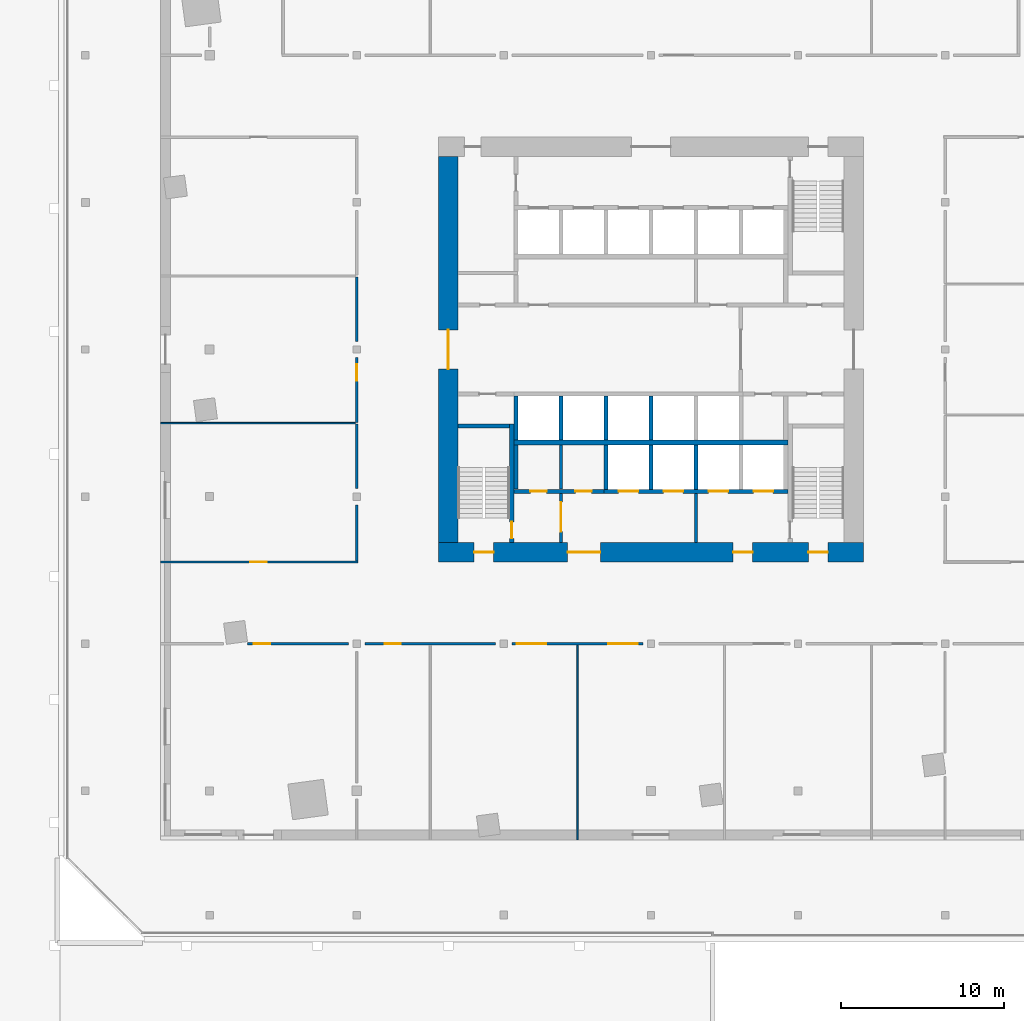
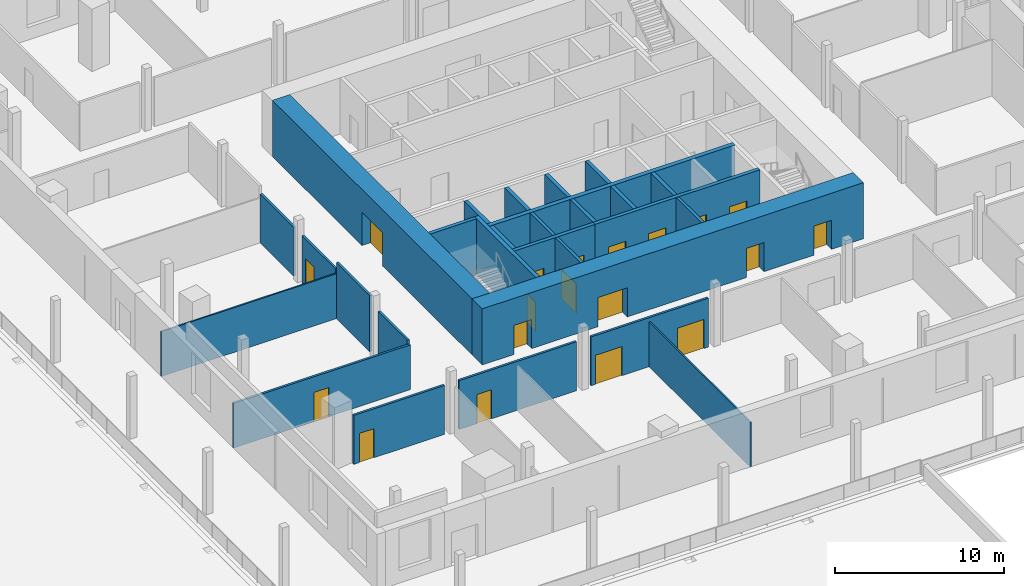
# One storey, part 3 of 12: 28 walls, 19 doors, 19 openings.
"""IFC4 building model written with IfcOpenShell, lengths in metres."""

from ifc_helpers import new_model, si_unit, direction, frame, frame_2d, origin, place, context, subcontext, project, spatial, rectangle, extrude, material, layer, layer_set, type_object, element, fill, save


model = new_model("IFC4")

# Units and contexts
model_context = context("Model", 3, precision=1e-05, world=origin(), true_north=direction((0.0, 1.0)))
body_context = subcontext(model_context, "Body", "Model", "MODEL_VIEW")
ifc_project = project(units=[si_unit("LENGTHUNIT", "METRE"), si_unit("AREAUNIT", "SQUARE_METRE"), si_unit("VOLUMEUNIT", "CUBIC_METRE"), si_unit("PLANEANGLEUNIT", "RADIAN"), si_unit("MASSUNIT", "GRAM", prefix="KILO")], contexts=[model_context])

# Site, building, storey
site_placement = place(None, origin())
site = spatial("IfcSite", under=ifc_project, at=site_placement, CompositionType="ELEMENT")
building_placement = place(site_placement, origin())
building = spatial("IfcBuilding", under=site, at=building_placement, Name="Dilmun Exchange Tower", CompositionType="ELEMENT")
storey_placement = place(building_placement, frame((0.0, 0.0, 18.0)))
storey = spatial("IfcBuildingStorey", under=building, at=storey_placement, Name="L04", CompositionType="ELEMENT", Elevation=18.0)

# Wall, opening, door
ifc_material_1 = material(Name="Concrete C40/50", Category="concrete")
ifc_layer_1 = layer(ifc_material_1, 0.199951171875)
ifc_layer_set_1 = layer_set([ifc_layer_1], Name="Concrete C40/50")
wall_type_1 = type_object("IfcWallType", Name="Core partition wall 200", PredefinedType="PARTITIONING", material=ifc_layer_set_1)
wall_1_placement = place(storey_placement, frame((-5.5, -11.794921875, 0.0), z_axis=(0.0, 0.0, 1.0), x_axis=(0.0, 1.0, 0.0)))
wall_1 = element("IfcWall", 1, at=wall_1_placement, inside=storey, type_object=wall_type_1, Name="L04 core partition wall 01", PredefinedType="PARTITIONING", context=body_context, shape_type="SweptSolid", body=[
    extrude(rectangle(XDim=2.989990234375, YDim=0.199951171875, at=frame_2d((1.4951171875, 0.0))), origin(), (0.0, 0.0, 1.0), 4.050048828125),
])
opening_1_placement = place(wall_1_placement, frame((0.657470703125, 0.0, 0.0)))
opening_1 = element("IfcOpeningElement", 2, at=opening_1_placement, cuts=wall_1, Name="Opening CD5", PredefinedType="OPENING", context=body_context, shape_type="SweptSolid", body=[
    extrude(rectangle(XDim=1.800048828125, YDim=2.10009765625, at=frame_2d((0.89990234375, 1.050048828125))), frame((0.0, 0.10986328125, 0.0), z_axis=(0.0, -1.0, 0.0), x_axis=(1.0, 0.0, 0.0)), (0.0, 0.0, 1.0), 0.219970703125),
])
ifc_material_2 = material(Name="Fire-rated steel door set", Category="steel")
door_type_1 = type_object("IfcDoorType", Name="Stair exit door 1800x2100", OperationType="SINGLE_SWING_LEFT", PredefinedType="DOOR", material=ifc_material_2)
door_1_placement = place(opening_1_placement, origin())
door_1 = element("IfcDoor", 3, at=door_1_placement, inside=storey, type_object=door_type_1, Name="L04 door Service lobby east", OperationType="SINGLE_SWING_LEFT", OverallHeight=2.10009765625, OverallWidth=1.800048828125, PredefinedType="DOOR", context=body_context, shape_type="SweptSolid", body=[
    extrude(rectangle(XDim=1.800048828125, YDim=2.10009765625, at=frame_2d((0.89990234375, 1.050048828125))), frame((0.0, 0.02490234375, 0.0), z_axis=(0.0, -1.0, 0.0), x_axis=(1.0, 0.0, 0.0)), (0.0, 0.0, 1.0), 0.050048828125),
])
fill(opening_1, door_1)

# Walls
wall_2_placement = place(storey_placement, frame((2.75, -11.794921875, 0.0), z_axis=(0.0, 0.0, 1.0), x_axis=(0.0, 1.0, 0.0)))
element("IfcWall", 4, at=wall_2_placement, inside=storey, type_object=wall_type_1, Name="L04 core partition wall 02", PredefinedType="PARTITIONING", context=body_context, shape_type="SweptSolid", body=[
    extrude(rectangle(XDim=2.989990234375, YDim=0.199951171875, at=frame_2d((1.4951171875, 0.0))), origin(), (0.0, 0.0, 1.0), 4.050048828125),
])
wall_3_placement = place(storey_placement, frame((-5.5, -8.544921875, 0.0), z_axis=(0.0, 0.0, 1.0), x_axis=(0.0, 1.0, 0.0)))
element("IfcWall", 5, at=wall_3_placement, inside=storey, type_object=wall_type_1, Name="L04 core partition wall 05", PredefinedType="PARTITIONING", context=body_context, shape_type="SweptSolid", body=[
    extrude(rectangle(XDim=2.68994140625, YDim=0.199951171875, at=frame_2d((1.344970703125, 0.0))), origin(), (0.0, 0.0, 1.0), 4.050048828125),
])

# Wall, openings, doors
ifc_layer_2 = layer(ifc_material_1, 0.25)
ifc_layer_set_2 = layer_set([ifc_layer_2], Name="Concrete C40/50")
wall_type_2 = type_object("IfcWallType", Name="Core partition wall 250", PredefinedType="PARTITIONING", material=ifc_layer_set_2)
wall_4_placement = place(storey_placement, frame((-8.3701171875, -8.675048828125, 0.0), z_axis=(0.0, 0.0, 1.0), x_axis=(1.0, 0.0, 0.0)))
wall_4 = element("IfcWall", 6, at=wall_4_placement, inside=storey, type_object=wall_type_2, Name="L04 core partition wall 03", PredefinedType="PARTITIONING", context=body_context, shape_type="SweptSolid", body=[
    extrude(rectangle(XDim=5.490234375, YDim=0.25, at=frame_2d((2.7451171875, 0.0))), origin(), (0.0, 0.0, 1.0), 4.050048828125),
])
opening_2_placement = place(wall_4_placement, frame((0.9951171875, 0.0, 0.0)))
opening_2 = element("IfcOpeningElement", 7, at=opening_2_placement, cuts=wall_4, Name="Opening CD4", PredefinedType="OPENING", context=body_context, shape_type="SweptSolid", body=[
    extrude(rectangle(XDim=1.0, YDim=2.10009765625, at=frame_2d((0.5, 1.050048828125))), frame((0.0, 0.135009765625, 0.0), z_axis=(0.0, -1.0, 0.0), x_axis=(1.0, 0.0, 0.0)), (0.0, 0.0, 1.0), 0.27001953125),
])
opening_3_placement = place(wall_4_placement, frame((3.7451171875, 0.0, 0.0)))
opening_3 = element("IfcOpeningElement", 8, at=opening_3_placement, cuts=wall_4, Name="Opening CD4", PredefinedType="OPENING", context=body_context, shape_type="SweptSolid", body=[
    extrude(rectangle(XDim=1.0, YDim=2.10009765625, at=frame_2d((0.5, 1.050048828125))), frame((0.0, 0.135009765625, 0.0), z_axis=(0.0, -1.0, 0.0), x_axis=(1.0, 0.0, 0.0)), (0.0, 0.0, 1.0), 0.27001953125),
])
door_type_2 = type_object("IfcDoorType", Name="Core room door 1000x2100", OperationType="SINGLE_SWING_LEFT", PredefinedType="DOOR", material=ifc_material_2)
door_2_placement = place(opening_2_placement, origin())
door_2 = element("IfcDoor", 9, at=door_2_placement, inside=storey, type_object=door_type_2, Name="L04 door Male WC", OperationType="SINGLE_SWING_LEFT", OverallHeight=2.10009765625, OverallWidth=1.0, PredefinedType="DOOR", context=body_context, shape_type="SweptSolid", body=[
    extrude(rectangle(XDim=1.0, YDim=2.10009765625, at=frame_2d((0.5, 1.050048828125))), frame((0.0, 0.02490234375, 0.0), z_axis=(0.0, -1.0, 0.0), x_axis=(1.0, 0.0, 0.0)), (0.0, 0.0, 1.0), 0.050048828125),
])
fill(opening_2, door_2)
door_3_placement = place(opening_3_placement, origin())
door_3 = element("IfcDoor", 10, at=door_3_placement, inside=storey, type_object=door_type_2, Name="L04 door Female WC", OperationType="SINGLE_SWING_LEFT", OverallHeight=2.10009765625, OverallWidth=1.0, PredefinedType="DOOR", context=body_context, shape_type="SweptSolid", body=[
    extrude(rectangle(XDim=1.0, YDim=2.10009765625, at=frame_2d((0.5, 1.050048828125))), frame((0.0, 0.02490234375, 0.0), z_axis=(0.0, -1.0, 0.0), x_axis=(1.0, 0.0, 0.0)), (0.0, 0.0, 1.0), 0.050048828125),
])
fill(opening_3, door_3)

# Wall
wall_5_placement = place(storey_placement, frame((-8.25, -8.544921875, 0.0), z_axis=(0.0, 0.0, 1.0), x_axis=(0.0, 1.0, 0.0)))
element("IfcWall", 11, at=wall_5_placement, inside=storey, type_object=wall_type_2, Name="L04 core partition wall 04", PredefinedType="PARTITIONING", context=body_context, shape_type="SweptSolid", body=[
    extrude(rectangle(XDim=2.68994140625, YDim=0.25, at=frame_2d((1.344970703125, 0.0))), origin(), (0.0, 0.0, 1.0), 4.050048828125),
])

# Wall, openings, doors
ifc_material_3 = material(Name="Concrete C80/95", Category="concrete")
ifc_layer_3 = layer(ifc_material_3, 1.199951171875)
ifc_layer_set_3 = layer_set([ifc_layer_3], Name="Concrete C80/95")
wall_type_3 = type_object("IfcWallType", Name="Core shear wall 1200 Concrete C80/95", PredefinedType="SHEAR", material=ifc_layer_set_3)
wall_6_placement = place(storey_placement, frame((-13.0, -12.39990234375, 0.0), z_axis=(0.0, 0.0, 1.0), x_axis=(1.0, 0.0, 0.0)))
wall_6 = element("IfcWall", 12, at=wall_6_placement, inside=storey, type_object=wall_type_3, Name="L04 core shear wall S", PredefinedType="SHEAR", context=body_context, shape_type="SweptSolid", body=[
    extrude(rectangle(XDim=26.0, YDim=1.199951171875, at=frame_2d((13.0, 0.0))), origin(), (0.0, 0.0, 1.0), 4.050048828125),
])
opening_4_placement = place(wall_6_placement, frame((7.89990234375, 0.0, 0.0)))
opening_4 = element("IfcOpeningElement", 13, at=opening_4_placement, cuts=wall_6, Name="Opening CD2", PredefinedType="OPENING", context=body_context, shape_type="SweptSolid", body=[
    extrude(rectangle(XDim=2.0, YDim=2.10009765625, at=frame_2d((1.0, 1.050048828125))), frame((0.0, 0.60986328125, 0.0), z_axis=(0.0, -1.0, 0.0), x_axis=(1.0, 0.0, 0.0)), (0.0, 0.0, 1.0), 1.219970703125),
])
opening_5_placement = place(wall_6_placement, frame((18.02490234375, 0.0, 0.0)))
opening_5 = element("IfcOpeningElement", 14, at=opening_5_placement, cuts=wall_6, Name="Opening CD3", PredefinedType="OPENING", context=body_context, shape_type="SweptSolid", body=[
    extrude(rectangle(XDim=1.199951171875, YDim=2.10009765625, at=frame_2d((0.60009765625, 1.050048828125))), frame((0.0, 0.60986328125, 0.0), z_axis=(0.0, -1.0, 0.0), x_axis=(1.0, 0.0, 0.0)), (0.0, 0.0, 1.0), 1.219970703125),
])
opening_6_placement = place(wall_6_placement, frame((2.175048828125, 0.0, 0.0)))
opening_6 = element("IfcOpeningElement", 15, at=opening_6_placement, cuts=wall_6, Name="Opening CD3", PredefinedType="OPENING", context=body_context, shape_type="SweptSolid", body=[
    extrude(rectangle(XDim=1.199951171875, YDim=2.10009765625, at=frame_2d((0.60009765625, 1.050048828125))), frame((0.0, 0.60986328125, 0.0), z_axis=(0.0, -1.0, 0.0), x_axis=(1.0, 0.0, 0.0)), (0.0, 0.0, 1.0), 1.219970703125),
])
opening_7_placement = place(wall_6_placement, frame((22.625, 0.0, 0.0)))
opening_7 = element("IfcOpeningElement", 16, at=opening_7_placement, cuts=wall_6, Name="Opening CD3", PredefinedType="OPENING", context=body_context, shape_type="SweptSolid", body=[
    extrude(rectangle(XDim=1.199951171875, YDim=2.10009765625, at=frame_2d((0.60009765625, 1.050048828125))), frame((0.0, 0.60986328125, 0.0), z_axis=(0.0, -1.0, 0.0), x_axis=(1.0, 0.0, 0.0)), (0.0, 0.0, 1.0), 1.219970703125),
])
door_type_3 = type_object("IfcDoorType", Name="Core service door 2000x2100", OperationType="DOUBLE_DOOR_DOUBLE_SWING", PredefinedType="DOOR", material=ifc_material_2)
door_4_placement = place(opening_4_placement, origin())
door_4 = element("IfcDoor", 17, at=door_4_placement, inside=storey, type_object=door_type_3, Name="L04 door South service lobby", OperationType="SINGLE_SWING_LEFT", OverallHeight=2.10009765625, OverallWidth=2.0, PredefinedType="DOOR", context=body_context, shape_type="SweptSolid", body=[
    extrude(rectangle(XDim=2.0, YDim=2.10009765625, at=frame_2d((1.0, 1.050048828125))), frame((0.0, 0.02490234375, 0.0), z_axis=(0.0, -1.0, 0.0), x_axis=(1.0, 0.0, 0.0)), (0.0, 0.0, 1.0), 0.050048828125),
])
fill(opening_4, door_4)
door_type_4 = type_object("IfcDoorType", Name="Stair exit door 1200x2100", OperationType="SINGLE_SWING_LEFT", PredefinedType="DOOR", material=ifc_material_2)
door_5_placement = place(opening_5_placement, origin())
door_5 = element("IfcDoor", 18, at=door_5_placement, inside=storey, type_object=door_type_4, Name="L04 door Fire-fighting lobby", OperationType="SINGLE_SWING_LEFT", OverallHeight=2.10009765625, OverallWidth=1.199951171875, PredefinedType="DOOR", context=body_context, shape_type="SweptSolid", body=[
    extrude(rectangle(XDim=1.199951171875, YDim=2.10009765625, at=frame_2d((0.60009765625, 1.050048828125))), frame((0.0, 0.02490234375, 0.0), z_axis=(0.0, -1.0, 0.0), x_axis=(1.0, 0.0, 0.0)), (0.0, 0.0, 1.0), 0.050048828125),
])
fill(opening_5, door_5)
door_6_placement = place(opening_6_placement, origin())
door_6 = element("IfcDoor", 19, at=door_6_placement, inside=storey, type_object=door_type_4, Name="L04 door Stair ST2", OperationType="SINGLE_SWING_LEFT", OverallHeight=2.10009765625, OverallWidth=1.199951171875, PredefinedType="DOOR", context=body_context, shape_type="SweptSolid", body=[
    extrude(rectangle(XDim=1.199951171875, YDim=2.10009765625, at=frame_2d((0.60009765625, 1.050048828125))), frame((0.0, 0.02490234375, 0.0), z_axis=(0.0, -1.0, 0.0), x_axis=(1.0, 0.0, 0.0)), (0.0, 0.0, 1.0), 0.050048828125),
])
fill(opening_6, door_6)
door_7_placement = place(opening_7_placement, origin())
door_7 = element("IfcDoor", 20, at=door_7_placement, inside=storey, type_object=door_type_4, Name="L04 door Stair ST3", OperationType="SINGLE_SWING_LEFT", OverallHeight=2.10009765625, OverallWidth=1.199951171875, PredefinedType="DOOR", context=body_context, shape_type="SweptSolid", body=[
    extrude(rectangle(XDim=1.199951171875, YDim=2.10009765625, at=frame_2d((0.60009765625, 1.050048828125))), frame((0.0, 0.02490234375, 0.0), z_axis=(0.0, -1.0, 0.0), x_axis=(1.0, 0.0, 0.0)), (0.0, 0.0, 1.0), 0.050048828125),
])
fill(opening_7, door_7)

# Wall, opening, door
wall_7_placement = place(storey_placement, frame((-12.39990234375, -11.800048828125, 0.0), z_axis=(0.0, 0.0, 1.0), x_axis=(0.0, 1.0, 0.0)))
wall_7 = element("IfcWall", 21, at=wall_7_placement, inside=storey, type_object=wall_type_3, Name="L04 core shear wall W", PredefinedType="SHEAR", context=body_context, shape_type="SweptSolid", body=[
    extrude(rectangle(XDim=23.60009765625, YDim=1.199951171875, at=frame_2d((11.800048828125, 0.0))), origin(), (0.0, 0.0, 1.0), 4.050048828125),
])
opening_8_placement = place(wall_7_placement, frame((10.60009765625, 0.0, 0.0)))
opening_8 = element("IfcOpeningElement", 22, at=opening_8_placement, cuts=wall_7, Name="Opening CD1", PredefinedType="OPENING", context=body_context, shape_type="SweptSolid", body=[
    extrude(rectangle(XDim=2.39990234375, YDim=2.39990234375, at=frame_2d((1.199951171875, 1.199951171875))), frame((0.0, 0.60986328125, 0.0), z_axis=(0.0, -1.0, 0.0), x_axis=(1.0, 0.0, 0.0)), (0.0, 0.0, 1.0), 1.219970703125),
])
door_type_5 = type_object("IfcDoorType", Name="Core lobby door 2400x2400", OperationType="DOUBLE_DOOR_DOUBLE_SWING", PredefinedType="DOOR", material=ifc_material_2)
door_8_placement = place(opening_8_placement, origin())
door_8 = element("IfcDoor", 23, at=door_8_placement, inside=storey, type_object=door_type_5, Name="L04 door Central lift lobby", OperationType="SINGLE_SWING_LEFT", OverallHeight=2.39990234375, OverallWidth=2.39990234375, PredefinedType="DOOR", context=body_context, shape_type="SweptSolid", body=[
    extrude(rectangle(XDim=2.39990234375, YDim=2.39990234375, at=frame_2d((1.199951171875, 1.199951171875))), frame((0.0, 0.02490234375, 0.0), z_axis=(0.0, -1.0, 0.0), x_axis=(1.0, 0.0, 0.0)), (0.0, 0.0, 1.0), 0.050048828125),
])
fill(opening_8, door_8)

ifc_material_4 = material(Name="Fire partition EI 60 150 gypsum")
ifc_layer_4 = layer(ifc_material_4, 0.14990234375)
ifc_layer_set_4 = layer_set([ifc_layer_4], Name="Fire partition EI 60 150 gypsum")
wall_type_4 = type_object("IfcWallType", Name="Fire partition EI 60 150 gypsum", PredefinedType="PARTITIONING", material=ifc_layer_set_4)
wall_8_placement = place(storey_placement, frame((-24.680908203125, -18.0, 0.0), z_axis=(0.0, 0.0, 1.0), x_axis=(1.0, 0.0, 0.0)))
wall_8 = element("IfcWall", 24, at=wall_8_placement, inside=storey, type_object=wall_type_4, Name="L04 partition", PredefinedType="PARTITIONING", context=body_context, shape_type="SweptSolid", body=[
    extrude(rectangle(XDim=6.180908203125, YDim=0.14990234375, at=frame_2d((3.09033203125, 0.0))), origin(), (0.0, 0.0, 1.0), 3.530029296875),
])
opening_9_placement = place(wall_8_placement, frame((0.380859375, 0.0, 0.0)))
opening_9 = element("IfcOpeningElement", 25, at=opening_9_placement, cuts=wall_8, Name="Opening L04-D010", PredefinedType="OPENING", context=body_context, shape_type="SweptSolid", body=[
    extrude(rectangle(XDim=1.0, YDim=2.10009765625, at=frame_2d((0.5, 1.050048828125))), frame((0.0, 0.0849609375, 0.0), z_axis=(0.0, -1.0, 0.0), x_axis=(1.0, 0.0, 0.0)), (0.0, 0.0, 1.0), 0.169921875),
])
ifc_material_5 = material(Name="Fire door FD60 1000 x 2100")
door_type_6 = type_object("IfcDoorType", Name="Fire door FD60 1000 x 2100", OperationType="SINGLE_SWING_LEFT", PredefinedType="DOOR", material=ifc_material_5)
door_9_placement = place(opening_9_placement, origin())
door_9 = element("IfcDoor", 26, at=door_9_placement, inside=storey, type_object=door_type_6, Name="L04 door L04-D010", OperationType="SINGLE_SWING_RIGHT", OverallHeight=2.10009765625, OverallWidth=1.0, PredefinedType="DOOR", context=body_context, shape_type="SweptSolid", body=[
    extrude(rectangle(XDim=1.0, YDim=2.10009765625, at=frame_2d((0.5, 1.050048828125))), frame((0.0, 0.02490234375, 0.0), z_axis=(0.0, -1.0, 0.0), x_axis=(1.0, 0.0, 0.0)), (0.0, 0.0, 1.0), 0.050048828125),
])
fill(opening_9, door_9)

wall_9_placement = place(storey_placement, frame((-17.5, -18.0, 0.0), z_axis=(0.0, 0.0, 1.0), x_axis=(1.0, 0.0, 0.0)))
wall_9 = element("IfcWall", 27, at=wall_9_placement, inside=storey, type_object=wall_type_4, Name="L04 partition", PredefinedType="PARTITIONING", context=body_context, shape_type="SweptSolid", body=[
    extrude(rectangle(XDim=8.0, YDim=0.14990234375, at=frame_2d((4.0, 0.0))), origin(), (0.0, 0.0, 1.0), 3.530029296875),
])
opening_10_placement = place(wall_9_placement, frame((1.199951171875, 0.0, 0.0)))
opening_10 = element("IfcOpeningElement", 28, at=opening_10_placement, cuts=wall_9, Name="Opening L04-D011", PredefinedType="OPENING", context=body_context, shape_type="SweptSolid", body=[
    extrude(rectangle(XDim=1.0, YDim=2.10009765625, at=frame_2d((0.5, 1.050048828125))), frame((0.0, 0.0849609375, 0.0), z_axis=(0.0, -1.0, 0.0), x_axis=(1.0, 0.0, 0.0)), (0.0, 0.0, 1.0), 0.169921875),
])
door_10_placement = place(opening_10_placement, origin())
door_10 = element("IfcDoor", 29, at=door_10_placement, inside=storey, type_object=door_type_6, Name="L04 door L04-D011", OperationType="SINGLE_SWING_LEFT", OverallHeight=2.10009765625, OverallWidth=1.0, PredefinedType="DOOR", context=body_context, shape_type="SweptSolid", body=[
    extrude(rectangle(XDim=1.0, YDim=2.10009765625, at=frame_2d((0.5, 1.050048828125))), frame((0.0, 0.02490234375, 0.0), z_axis=(0.0, -1.0, 0.0), x_axis=(1.0, 0.0, 0.0)), (0.0, 0.0, 1.0), 0.050048828125),
])
fill(opening_10, door_10)

# Wall, openings, doors
wall_10_placement = place(storey_placement, frame((-8.5, -18.0, 0.0), z_axis=(0.0, 0.0, 1.0), x_axis=(1.0, 0.0, 0.0)))
wall_10 = element("IfcWall", 30, at=wall_10_placement, inside=storey, type_object=wall_type_4, Name="L04 partition", PredefinedType="PARTITIONING", context=body_context, shape_type="SweptSolid", body=[
    extrude(rectangle(XDim=8.0, YDim=0.14990234375, at=frame_2d((4.0, 0.0))), origin(), (0.0, 0.0, 1.0), 3.530029296875),
])
opening_11_placement = place(wall_10_placement, frame((0.300048828125, 0.0, 0.0)))
opening_11 = element("IfcOpeningElement", 31, at=opening_11_placement, cuts=wall_10, Name="Opening L04-D020", PredefinedType="OPENING", context=body_context, shape_type="SweptSolid", body=[
    extrude(rectangle(XDim=1.800048828125, YDim=2.10009765625, at=frame_2d((0.89990234375, 1.050048828125))), frame((0.0, 0.0849609375, 0.0), z_axis=(0.0, -1.0, 0.0), x_axis=(1.0, 0.0, 0.0)), (0.0, 0.0, 1.0), 0.169921875),
])
opening_12_placement = place(wall_10_placement, frame((5.89990234375, 0.0, 0.0)))
opening_12 = element("IfcOpeningElement", 32, at=opening_12_placement, cuts=wall_10, Name="Opening L04-D021", PredefinedType="OPENING", context=body_context, shape_type="SweptSolid", body=[
    extrude(rectangle(XDim=1.800048828125, YDim=2.10009765625, at=frame_2d((0.89990234375, 1.050048828125))), frame((0.0, 0.0849609375, 0.0), z_axis=(0.0, -1.0, 0.0), x_axis=(1.0, 0.0, 0.0)), (0.0, 0.0, 1.0), 0.169921875),
])
ifc_material_6 = material(Name="Fire door FD60 double 1800 x 2100")
door_type_7 = type_object("IfcDoorType", Name="Fire door FD60 double 1800 x 2100", OperationType="DOUBLE_DOOR_SINGLE_SWING", PredefinedType="DOOR", material=ifc_material_6)
door_11_placement = place(opening_11_placement, origin())
door_11 = element("IfcDoor", 33, at=door_11_placement, inside=storey, type_object=door_type_7, Name="L04 door L04-D020", OperationType="DOUBLE_DOOR_SINGLE_SWING", OverallHeight=2.10009765625, OverallWidth=1.800048828125, PredefinedType="DOOR", context=body_context, shape_type="SweptSolid", body=[
    extrude(rectangle(XDim=1.800048828125, YDim=2.10009765625, at=frame_2d((0.89990234375, 1.050048828125))), frame((0.0, 0.02490234375, 0.0), z_axis=(0.0, -1.0, 0.0), x_axis=(1.0, 0.0, 0.0)), (0.0, 0.0, 1.0), 0.050048828125),
])
fill(opening_11, door_11)
door_12_placement = place(opening_12_placement, origin())
door_12 = element("IfcDoor", 34, at=door_12_placement, inside=storey, type_object=door_type_7, Name="L04 door L04-D021", OperationType="DOUBLE_DOOR_SINGLE_SWING", OverallHeight=2.10009765625, OverallWidth=1.800048828125, PredefinedType="DOOR", context=body_context, shape_type="SweptSolid", body=[
    extrude(rectangle(XDim=1.800048828125, YDim=2.10009765625, at=frame_2d((0.89990234375, 1.050048828125))), frame((0.0, 0.02490234375, 0.0), z_axis=(0.0, -1.0, 0.0), x_axis=(1.0, 0.0, 0.0)), (0.0, 0.0, 1.0), 0.050048828125),
])
fill(opening_12, door_12)

# Wall, opening, door
wall_11_placement = place(storey_placement, frame((-30.0, -13.0, 0.0), z_axis=(0.0, 0.0, 1.0), x_axis=(1.0, 0.0, 0.0)))
wall_11 = element("IfcWall", 35, at=wall_11_placement, inside=storey, type_object=wall_type_4, Name="L04 partition", PredefinedType="PARTITIONING", context=body_context, shape_type="SweptSolid", body=[
    extrude(rectangle(XDim=12.074951171875, YDim=0.14990234375, at=frame_2d((6.03759765625, 0.0))), origin(), (0.0, 0.0, 1.0), 3.22998046875),
])
opening_13_placement = place(wall_11_placement, frame((5.5, 0.0, 0.0)))
opening_13 = element("IfcOpeningElement", 36, at=opening_13_placement, cuts=wall_11, Name="Opening L04-D014", PredefinedType="OPENING", context=body_context, shape_type="SweptSolid", body=[
    extrude(rectangle(XDim=1.0, YDim=2.10009765625, at=frame_2d((0.5, 1.050048828125))), frame((0.0, 0.0849609375, 0.0), z_axis=(0.0, -1.0, 0.0), x_axis=(1.0, 0.0, 0.0)), (0.0, 0.0, 1.0), 0.169921875),
])
door_13_placement = place(opening_13_placement, origin())
door_13 = element("IfcDoor", 37, at=door_13_placement, inside=storey, type_object=door_type_6, Name="L04 door L04-D014", OperationType="SINGLE_SWING_RIGHT", OverallHeight=2.10009765625, OverallWidth=1.0, PredefinedType="DOOR", context=body_context, shape_type="SweptSolid", body=[
    extrude(rectangle(XDim=1.0, YDim=2.10009765625, at=frame_2d((0.5, 1.050048828125))), frame((0.0, 0.02490234375, 0.0), z_axis=(0.0, -1.0, 0.0), x_axis=(1.0, 0.0, 0.0)), (0.0, 0.0, 1.0), 0.050048828125),
])
fill(opening_13, door_13)

# Walls
wall_12_placement = place(storey_placement, frame((-18.0, -12.925048828125, 0.0), z_axis=(0.0, 0.0, 1.0), x_axis=(0.0, 1.0, 0.0)))
element("IfcWall", 38, at=wall_12_placement, inside=storey, type_object=wall_type_4, Name="L04 partition", PredefinedType="PARTITIONING", context=body_context, shape_type="SweptSolid", body=[
    extrude(rectangle(XDim=3.425048828125, YDim=0.14990234375, at=frame_2d((1.71240234375, 0.0))), origin(), (0.0, 0.0, 1.0), 3.530029296875),
])
wall_13_placement = place(storey_placement, frame((-18.0, -8.5, 0.0), z_axis=(0.0, 0.0, 1.0), x_axis=(0.0, 1.0, 0.0)))
element("IfcWall", 39, at=wall_13_placement, inside=storey, type_object=wall_type_4, Name="L04 partition", PredefinedType="PARTITIONING", context=body_context, shape_type="SweptSolid", body=[
    extrude(rectangle(XDim=3.949951171875, YDim=0.14990234375, at=frame_2d((1.97509765625, 0.0))), origin(), (0.0, 0.0, 1.0), 4.050048828125),
])

# Wall, opening, door
wall_14_placement = place(storey_placement, frame((-18.0, -4.449951171875, 0.0), z_axis=(0.0, 0.0, 1.0), x_axis=(0.0, 1.0, 0.0)))
wall_14 = element("IfcWall", 40, at=wall_14_placement, inside=storey, type_object=wall_type_4, Name="L04 partition", PredefinedType="PARTITIONING", context=body_context, shape_type="SweptSolid", body=[
    extrude(rectangle(XDim=3.949951171875, YDim=0.14990234375, at=frame_2d((1.97509765625, 0.0))), origin(), (0.0, 0.0, 1.0), 3.530029296875),
])
opening_14_placement = place(wall_14_placement, frame((2.550048828125, 0.0, 0.0)))
opening_14 = element("IfcOpeningElement", 41, at=opening_14_placement, cuts=wall_14, Name="Opening L04-D015", PredefinedType="OPENING", context=body_context, shape_type="SweptSolid", body=[
    extrude(rectangle(XDim=1.0, YDim=2.10009765625, at=frame_2d((0.5, 1.050048828125))), frame((0.0, 0.0849609375, 0.0), z_axis=(0.0, -1.0, 0.0), x_axis=(1.0, 0.0, 0.0)), (0.0, 0.0, 1.0), 0.169921875),
])
door_14_placement = place(opening_14_placement, origin())
door_14 = element("IfcDoor", 42, at=door_14_placement, inside=storey, type_object=door_type_6, Name="L04 door L04-D015", OperationType="SINGLE_SWING_LEFT", OverallHeight=2.10009765625, OverallWidth=1.0, PredefinedType="DOOR", context=body_context, shape_type="SweptSolid", body=[
    extrude(rectangle(XDim=1.0, YDim=2.10009765625, at=frame_2d((0.5, 1.050048828125))), frame((0.0, 0.02490234375, 0.0), z_axis=(0.0, -1.0, 0.0), x_axis=(1.0, 0.0, 0.0)), (0.0, 0.0, 1.0), 0.050048828125),
])
fill(opening_14, door_14)

# Walls
wall_15_placement = place(storey_placement, frame((-18.0, 0.5, 0.0), z_axis=(0.0, 0.0, 1.0), x_axis=(0.0, 1.0, 0.0)))
element("IfcWall", 43, at=wall_15_placement, inside=storey, type_object=wall_type_4, Name="L04 partition", PredefinedType="PARTITIONING", context=body_context, shape_type="SweptSolid", body=[
    extrude(rectangle(XDim=3.949951171875, YDim=0.14990234375, at=frame_2d((1.97509765625, 0.0))), origin(), (0.0, 0.0, 1.0), 3.530029296875),
])
ifc_layer_5 = layer(ifc_material_1, 0.300048828125)
ifc_layer_set_5 = layer_set([ifc_layer_5], Name="Concrete C40/50")
wall_type_5 = type_object("IfcWallType", Name="Lift shaft shared wall 300", PredefinedType="SOLIDWALL", material=ifc_layer_set_5)
wall_16_placement = place(storey_placement, frame((-8.375, -5.699951171875, 0.0), z_axis=(0.0, 0.0, 1.0), x_axis=(1.0, 0.0, 0.0)))
element("IfcWall", 44, at=wall_16_placement, inside=storey, type_object=wall_type_5, Name="L04 lift shaft rear wall S", PredefinedType="SOLIDWALL", context=body_context, shape_type="SweptSolid", body=[
    extrude(rectangle(XDim=16.75, YDim=0.300048828125, at=frame_2d((8.375, 0.0))), origin(), (0.0, 0.0, 1.0), 4.050048828125),
])
ifc_layer_6 = layer(ifc_material_1, 0.25)
ifc_layer_set_6 = layer_set([ifc_layer_6], Name="Concrete C40/50")
wall_type_6 = type_object("IfcWallType", Name="Lift shaft wall 250", PredefinedType="SOLIDWALL", material=ifc_layer_set_6)
for number, where, z_axis, x_axis, name in (
    (45, (-8.25, -5.550048828125, 0.0), (0.0, 0.0, 1.0), (0.0, 1.0, 0.0), "L04 lift shaft divider S10"),
    (46, (-5.5, -5.550048828125, 0.0), (0.0, 0.0, 1.0), (0.0, 1.0, 0.0), "L04 lift shaft divider S11"),
    (47, (-2.75, -5.550048828125, 0.0), (0.0, 0.0, 1.0), (0.0, 1.0, 0.0), "L04 lift shaft divider S12"),
    (48, (0.0, -5.550048828125, 0.0), (0.0, 0.0, 1.0), (0.0, 1.0, 0.0), "L04 lift shaft divider S13"),
):
    element("IfcWall", number, at=place(storey_placement, frame(where, z_axis=z_axis, x_axis=x_axis)), inside=storey, type_object=wall_type_6, Name=name, PredefinedType="SOLIDWALL", context=body_context, shape_type="SweptSolid", body=[
        extrude(rectangle(XDim=2.699951171875, YDim=0.25, at=frame_2d((1.35009765625, 0.0))), origin(), (0.0, 0.0, 1.0), 4.050048828125),
    ])

# Wall, openings, doors
wall_17_placement = place(storey_placement, frame((-2.875, -8.675048828125, 0.0), z_axis=(0.0, 0.0, 1.0), x_axis=(1.0, 0.0, 0.0)))
wall_17 = element("IfcWall", 49, at=wall_17_placement, inside=storey, type_object=wall_type_6, Name="L04 lift shaft front wall S2", PredefinedType="SOLIDWALL", context=body_context, shape_type="SweptSolid", body=[
    extrude(rectangle(XDim=11.25, YDim=0.25, at=frame_2d((5.625, 0.0))), origin(), (0.0, 0.0, 1.0), 4.050048828125),
])
opening_15_placement = place(wall_17_placement, frame((0.89990234375, 0.0, 0.0)))
opening_15 = element("IfcOpeningElement", 50, at=opening_15_placement, cuts=wall_17, Name="Opening LD", PredefinedType="OPENING", context=body_context, shape_type="SweptSolid", body=[
    extrude(rectangle(XDim=1.199951171875, YDim=2.10009765625, at=frame_2d((0.60009765625, 1.050048828125))), frame((0.0, 0.135009765625, 0.0), z_axis=(0.0, -1.0, 0.0), x_axis=(1.0, 0.0, 0.0)), (0.0, 0.0, 1.0), 0.27001953125),
])
opening_16_placement = place(wall_17_placement, frame((3.64990234375, 0.0, 0.0)))
opening_16 = element("IfcOpeningElement", 51, at=opening_16_placement, cuts=wall_17, Name="Opening LD", PredefinedType="OPENING", context=body_context, shape_type="SweptSolid", body=[
    extrude(rectangle(XDim=1.199951171875, YDim=2.10009765625, at=frame_2d((0.60009765625, 1.050048828125))), frame((0.0, 0.135009765625, 0.0), z_axis=(0.0, -1.0, 0.0), x_axis=(1.0, 0.0, 0.0)), (0.0, 0.0, 1.0), 0.27001953125),
])
opening_17_placement = place(wall_17_placement, frame((6.39990234375, 0.0, 0.0)))
opening_17 = element("IfcOpeningElement", 52, at=opening_17_placement, cuts=wall_17, Name="Opening LD", PredefinedType="OPENING", context=body_context, shape_type="SweptSolid", body=[
    extrude(rectangle(XDim=1.199951171875, YDim=2.10009765625, at=frame_2d((0.60009765625, 1.050048828125))), frame((0.0, 0.135009765625, 0.0), z_axis=(0.0, -1.0, 0.0), x_axis=(1.0, 0.0, 0.0)), (0.0, 0.0, 1.0), 0.27001953125),
])
opening_18_placement = place(wall_17_placement, frame((9.14990234375, 0.0, 0.0)))
opening_18 = element("IfcOpeningElement", 53, at=opening_18_placement, cuts=wall_17, Name="Opening LD", PredefinedType="OPENING", context=body_context, shape_type="SweptSolid", body=[
    extrude(rectangle(XDim=1.199951171875, YDim=2.10009765625, at=frame_2d((0.60009765625, 1.050048828125))), frame((0.0, 0.135009765625, 0.0), z_axis=(0.0, -1.0, 0.0), x_axis=(1.0, 0.0, 0.0)), (0.0, 0.0, 1.0), 0.27001953125),
])
door_type_8 = type_object("IfcDoorType", Name="Lift landing door 1200x2100", OperationType="DOUBLE_DOOR_SLIDING", PredefinedType="DOOR", material=ifc_material_2)
door_15_placement = place(opening_15_placement, origin())
door_15 = element("IfcDoor", 54, at=door_15_placement, inside=storey, type_object=door_type_8, Name="L04 landing door SV1", OperationType="DOUBLE_DOOR_SLIDING", OverallHeight=2.10009765625, OverallWidth=1.199951171875, PredefinedType="DOOR", context=body_context, shape_type="SweptSolid", body=[
    extrude(rectangle(XDim=1.199951171875, YDim=2.10009765625, at=frame_2d((0.60009765625, 1.050048828125))), frame((0.0, 0.02490234375, 0.0), z_axis=(0.0, -1.0, 0.0), x_axis=(1.0, 0.0, 0.0)), (0.0, 0.0, 1.0), 0.050048828125),
])
fill(opening_15, door_15)
door_16_placement = place(opening_16_placement, origin())
door_16 = element("IfcDoor", 55, at=door_16_placement, inside=storey, type_object=door_type_8, Name="L04 landing door SV2", OperationType="DOUBLE_DOOR_SLIDING", OverallHeight=2.10009765625, OverallWidth=1.199951171875, PredefinedType="DOOR", context=body_context, shape_type="SweptSolid", body=[
    extrude(rectangle(XDim=1.199951171875, YDim=2.10009765625, at=frame_2d((0.60009765625, 1.050048828125))), frame((0.0, 0.02490234375, 0.0), z_axis=(0.0, -1.0, 0.0), x_axis=(1.0, 0.0, 0.0)), (0.0, 0.0, 1.0), 0.050048828125),
])
fill(opening_16, door_16)
door_17_placement = place(opening_17_placement, origin())
door_17 = element("IfcDoor", 56, at=door_17_placement, inside=storey, type_object=door_type_8, Name="L04 landing door FF1", OperationType="DOUBLE_DOOR_SLIDING", OverallHeight=2.10009765625, OverallWidth=1.199951171875, PredefinedType="DOOR", context=body_context, shape_type="SweptSolid", body=[
    extrude(rectangle(XDim=1.199951171875, YDim=2.10009765625, at=frame_2d((0.60009765625, 1.050048828125))), frame((0.0, 0.02490234375, 0.0), z_axis=(0.0, -1.0, 0.0), x_axis=(1.0, 0.0, 0.0)), (0.0, 0.0, 1.0), 0.050048828125),
])
fill(opening_17, door_17)
door_18_placement = place(opening_18_placement, origin())
door_18 = element("IfcDoor", 57, at=door_18_placement, inside=storey, type_object=door_type_8, Name="L04 landing door FF2", OperationType="DOUBLE_DOOR_SLIDING", OverallHeight=2.10009765625, OverallWidth=1.199951171875, PredefinedType="DOOR", context=body_context, shape_type="SweptSolid", body=[
    extrude(rectangle(XDim=1.199951171875, YDim=2.10009765625, at=frame_2d((0.60009765625, 1.050048828125))), frame((0.0, 0.02490234375, 0.0), z_axis=(0.0, -1.0, 0.0), x_axis=(1.0, 0.0, 0.0)), (0.0, 0.0, 1.0), 0.050048828125),
])
fill(opening_18, door_18)

# Walls
for number, where, z_axis, x_axis, name in (
    (58, (-2.75, -8.550048828125, 0.0), (0.0, 0.0, 1.0), (0.0, 1.0, 0.0), "L04 lift shaft divider S22"),
    (59, (0.0, -8.550048828125, 0.0), (0.0, 0.0, 1.0), (0.0, 1.0, 0.0), "L04 lift shaft divider S23"),
    (60, (2.75, -8.550048828125, 0.0), (0.0, 0.0, 1.0), (0.0, 1.0, 0.0), "L04 lift shaft divider S24"),
):
    element("IfcWall", number, at=place(storey_placement, frame(where, z_axis=z_axis, x_axis=x_axis)), inside=storey, type_object=wall_type_6, Name=name, PredefinedType="SOLIDWALL", context=body_context, shape_type="SweptSolid", body=[
        extrude(rectangle(XDim=2.699951171875, YDim=0.25, at=frame_2d((1.35009765625, 0.0))), origin(), (0.0, 0.0, 1.0), 4.050048828125),
    ])
ifc_material_7 = material(Name="Partition 100 gypsum")
ifc_layer_7 = layer(ifc_material_7, 0.10009765625)
ifc_layer_set_7 = layer_set([ifc_layer_7], Name="Partition 100 gypsum")
wall_type_7 = type_object("IfcWallType", Name="Partition 100 gypsum", PredefinedType="PARTITIONING", material=ifc_layer_set_7)
for number, where, z_axis, x_axis, name in (
    (61, (-30.0, -4.5, 0.0), (0.0, 0.0, 1.0), (1.0, 0.0, 0.0), "L04 partition"),
    (62, (-4.5, -30.0, 0.0), (0.0, 0.0, 1.0), (0.0, 1.0, 0.0), "L04 partition"),
):
    element("IfcWall", number, at=place(storey_placement, frame(where, z_axis=z_axis, x_axis=x_axis)), inside=storey, type_object=wall_type_7, Name=name, PredefinedType="PARTITIONING", context=body_context, shape_type="SweptSolid", body=[
        extrude(rectangle(XDim=11.925048828125, YDim=0.10009765625, at=frame_2d((5.96240234375, 0.0))), origin(), (0.0, 0.0, 1.0), 3.22998046875),
    ])
ifc_layer_8 = layer(ifc_material_1, 0.25)
ifc_layer_set_8 = layer_set([ifc_layer_8], Name="Concrete C40/50")
wall_type_8 = type_object("IfcWallType", Name="Stair end wall 250", PredefinedType="SOLIDWALL", material=ifc_layer_set_8)
wall_18_placement = place(storey_placement, frame((-8.64990234375, -4.675048828125, 0.0), z_axis=(0.0, 0.0, 1.0), x_axis=(-1.0, 0.0, 0.0)))
element("IfcWall", 63, at=wall_18_placement, inside=storey, type_object=wall_type_8, Name="L04 ST2 far wall", PredefinedType="SOLIDWALL", context=body_context, shape_type="SweptSolid", body=[
    extrude(rectangle(XDim=3.150146484375, YDim=0.25, at=frame_2d((1.5751953125, 0.0))), origin(), (0.0, 0.0, 1.0), 4.050048828125),
])

# Wall, opening, door
ifc_layer_9 = layer(ifc_material_1, 0.27490234375)
ifc_layer_set_9 = layer_set([ifc_layer_9], Name="Concrete C40/50")
wall_type_9 = type_object("IfcWallType", Name="Stair wall 275", PredefinedType="SOLIDWALL", material=ifc_layer_set_9)
wall_19_placement = place(storey_placement, frame((-8.512451171875, -4.550048828125, 0.0), z_axis=(0.0, 0.0, 1.0), x_axis=(0.0, -1.0, 0.0)))
wall_19 = element("IfcWall", 64, at=wall_19_placement, inside=storey, type_object=wall_type_9, Name="L04 ST2 wall to lift block", PredefinedType="SOLIDWALL", context=body_context, shape_type="SweptSolid", body=[
    extrude(rectangle(XDim=7.25, YDim=0.27490234375, at=frame_2d((3.625, 0.0))), origin(), (0.0, 0.0, 1.0), 4.050048828125),
])
opening_19_placement = place(wall_19_placement, frame((6.0, 0.0, 0.0)))
opening_19 = element("IfcOpeningElement", 65, at=opening_19_placement, cuts=wall_19, Name="Opening CD4", PredefinedType="OPENING", context=body_context, shape_type="SweptSolid", body=[
    extrude(rectangle(XDim=1.0, YDim=2.10009765625, at=frame_2d((0.5, 1.050048828125))), frame((0.0, 0.1474609375, 0.0), z_axis=(0.0, -1.0, 0.0), x_axis=(1.0, 0.0, 0.0)), (0.0, 0.0, 1.0), 0.294921875),
])
door_19_placement = place(opening_19_placement, origin())
door_19 = element("IfcDoor", 66, at=door_19_placement, inside=storey, type_object=door_type_2, Name="L04 door ST2 from lobby", OperationType="SINGLE_SWING_LEFT", OverallHeight=2.10009765625, OverallWidth=1.0, PredefinedType="DOOR", context=body_context, shape_type="SweptSolid", body=[
    extrude(rectangle(XDim=1.0, YDim=2.10009765625, at=frame_2d((0.5, 1.050048828125))), frame((0.0, 0.02490234375, 0.0), z_axis=(0.0, -1.0, 0.0), x_axis=(1.0, 0.0, 0.0)), (0.0, 0.0, 1.0), 0.050048828125),
])
fill(opening_19, door_19)

save(model, "model.ifc")
